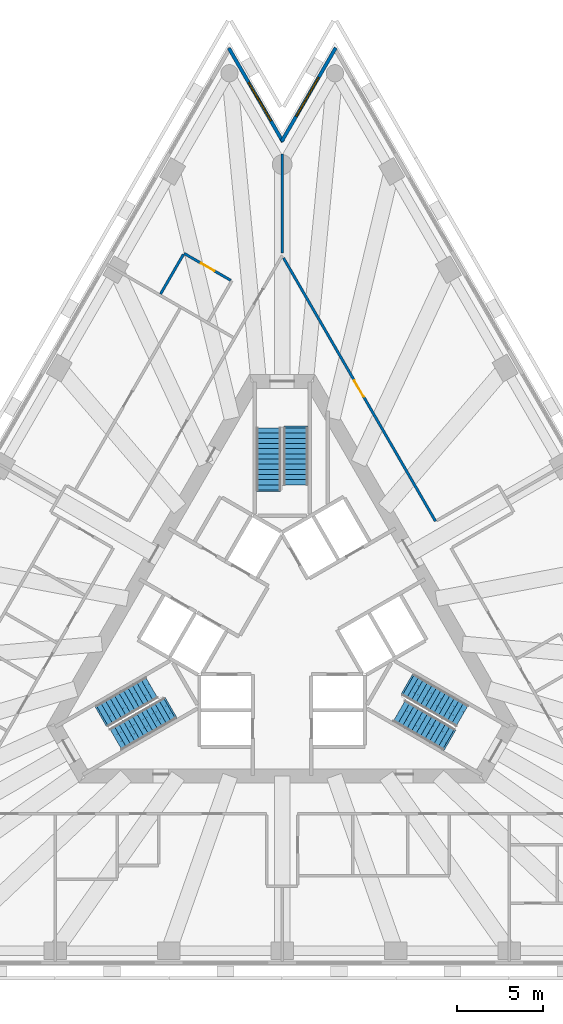
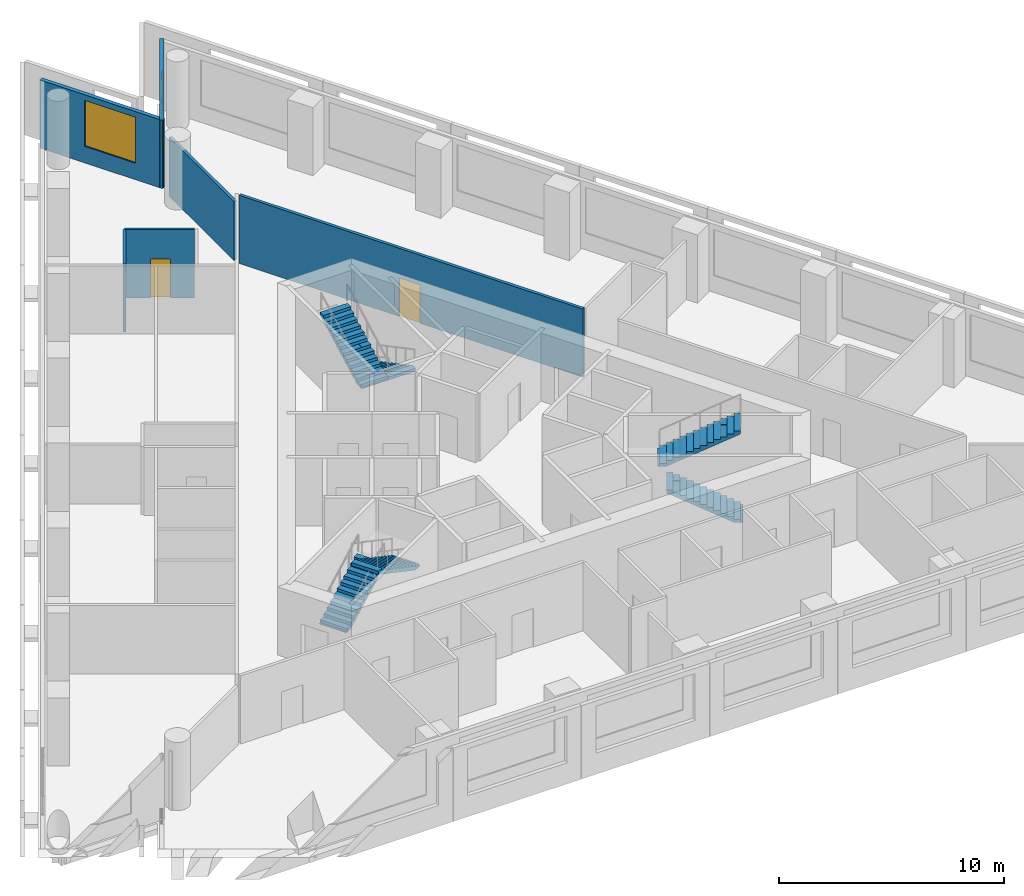
# One storey, part 7 of 10: 6 stair flights, 6 walls, 2 doors, 2 windows, 4 openings, 3 elements without a shape of their own.
"""IFC4 building model written with IfcOpenShell, lengths in metres."""

from ifc_helpers import new_model, si_unit, direction, frame, frame_2d, origin, place, context, subcontext, project, spatial, polyline, rectangle, outline, extrude, material, layer, layer_set, layer_usage, type_object, element, fill, aggregate, save


model = new_model("IFC4")

# Units and contexts
model_context = context("Model", 3, precision=1e-05, world=origin(), true_north=direction((0.0, 1.0)))
body_context = subcontext(model_context, "Body", "Model", "MODEL_VIEW")
ifc_project = project(units=[si_unit("LENGTHUNIT", "METRE"), si_unit("AREAUNIT", "SQUARE_METRE"), si_unit("VOLUMEUNIT", "CUBIC_METRE"), si_unit("PLANEANGLEUNIT", "RADIAN"), si_unit("MASSUNIT", "GRAM", prefix="KILO")], contexts=[model_context])

# Site, building, storey
site_placement = place(None, origin())
site = spatial("IfcSite", under=ifc_project, at=site_placement, CompositionType="ELEMENT")
building_placement = place(site_placement, origin())
building = spatial("IfcBuilding", under=site, at=building_placement, Name="Triada Interchange Tower", CompositionType="ELEMENT")
storey_placement = place(building_placement, frame((0.0, 0.0, 160.300048828125)))
storey = spatial("IfcBuildingStorey", under=building, at=storey_placement, Name="L37", CompositionType="ELEMENT", Elevation=160.300048828125)

# Wall, opening, window
ifc_material_1 = material(Name="Cement board")
ifc_layer_1 = layer(ifc_material_1, 0.02001953125, Name="Cement board cladding")
ifc_material_2 = material(Name="Sheathing board")
ifc_layer_2 = layer(ifc_material_2, 0.014892578125, Name="Sheathing board")
ifc_material_3 = material(Name="Mineral wool")
ifc_layer_3 = layer(ifc_material_3, 0.14990234375, Name="Mineral wool between steel studs")
ifc_material_4 = material(Name="Gypsum board")
ifc_layer_4 = layer(ifc_material_4, 0.014892578125, Name="Plasterboard lining")
ifc_layer_set_1 = layer_set([ifc_layer_1, ifc_layer_2, ifc_layer_3, ifc_layer_4], Name="External wall 200")
ifc_layer_usage = layer_usage(ifc_layer_set_1, "AXIS2", "POSITIVE", -0.10009765625)
wall_type_1 = type_object("IfcWallType", Name="External wall 200", PredefinedType="ELEMENTEDWALL", material=ifc_layer_set_1)
wall_1_placement = place(storey_placement, frame((3.10791015625, 33.666015625, 0.0), z_axis=(0.0, 0.0, 1.0), x_axis=(-0.499961152228, -0.866047831394, 0.0)))
wall_1 = element("IfcWall", 1, at=wall_1_placement, inside=storey, type_object=wall_type_1, material=ifc_layer_usage, Name="External wall L37 N-1", PredefinedType="ELEMENTEDWALL", context=body_context, shape_type="SweptSolid", body=[
    extrude(rectangle(XDim=6.2861328125, YDim=0.199951171875, at=frame_2d((3.14306640625, 0.0))), origin(), (0.0, 0.0, 1.0), 3.699951171875),
])
opening_1_placement = place(wall_1_placement, frame((1.989990234375, 0.0, 0.89990234375)))
opening_1 = element("IfcOpeningElement", 2, at=opening_1_placement, cuts=wall_1, Name="Opening WB29", PredefinedType="OPENING", context=body_context, shape_type="SweptSolid", body=[
    extrude(rectangle(XDim=2.60009765625, YDim=2.5, at=frame_2d((1.300048828125, 1.25))), frame((0.0, 0.10986328125, 0.0), z_axis=(0.0, -1.0, 0.0), x_axis=(1.0, 0.0, 0.0)), (0.0, 0.0, 1.0), 0.219970703125),
])
ifc_material_5 = material(Name="Double glazed aluminium window", Category="aluminium")
window_type = type_object("IfcWindowType", Name="Ribbon window B pocket", PartitioningType="SINGLE_PANEL", PredefinedType="WINDOW", material=ifc_material_5)
window_1_placement = place(opening_1_placement, origin())
window_1 = element("IfcWindow", 3, at=window_1_placement, inside=storey, type_object=window_type, Name="Window L37 N-1 1", OverallHeight=2.5, OverallWidth=2.60009765625, PartitioningType="SINGLE_PANEL", PredefinedType="WINDOW", context=body_context, shape_type="SweptSolid", body=[
    extrude(rectangle(XDim=2.60009765625, YDim=2.5, at=frame_2d((1.300048828125, 1.25))), frame((0.0, 0.030029296875, 0.0), z_axis=(0.0, -1.0, 0.0), x_axis=(1.0, 0.0, 0.0)), (0.0, 0.0, 1.0), 0.06005859375),
])
fill(opening_1, window_1)

wall_2_placement = place(storey_placement, frame((0.044921875, 28.205078125, 0.0), z_axis=(0.0, 0.0, 1.0), x_axis=(-0.499977969162, 0.866038122921, 0.0)))
wall_2 = element("IfcWall", 4, at=wall_2_placement, inside=storey, type_object=wall_type_1, material=ifc_layer_usage, Name="External wall L37 N-2", PredefinedType="ELEMENTEDWALL", context=body_context, shape_type="SweptSolid", body=[
    extrude(rectangle(XDim=6.285888671875, YDim=0.199951171875, at=frame_2d((3.14306640625, 0.0))), origin(), (0.0, 0.0, 1.0), 3.699951171875),
])
opening_2_placement = place(wall_2_placement, frame((1.389892578125, 0.0, 0.89990234375)))
opening_2 = element("IfcOpeningElement", 5, at=opening_2_placement, cuts=wall_2, Name="Opening WB30", PredefinedType="OPENING", context=body_context, shape_type="SweptSolid", body=[
    extrude(rectangle(XDim=2.60009765625, YDim=2.5, at=frame_2d((1.300048828125, 1.25))), frame((0.0, 0.10986328125, 0.0), z_axis=(0.0, -1.0, 0.0), x_axis=(1.0, 0.0, 0.0)), (0.0, 0.0, 1.0), 0.219970703125),
])
window_2_placement = place(opening_2_placement, origin())
window_2 = element("IfcWindow", 6, at=window_2_placement, inside=storey, type_object=window_type, Name="Window L37 N-2 1", OverallHeight=2.5, OverallWidth=2.60009765625, PartitioningType="SINGLE_PANEL", PredefinedType="WINDOW", context=body_context, shape_type="SweptSolid", body=[
    extrude(rectangle(XDim=2.60009765625, YDim=2.5, at=frame_2d((1.300048828125, 1.25))), frame((0.0, 0.030029296875, 0.0), z_axis=(0.0, -1.0, 0.0), x_axis=(1.0, 0.0, 0.0)), (0.0, 0.0, 1.0), 0.06005859375),
])
fill(opening_2, window_2)

# Wall
ifc_material_6 = material(Name="Gypsum board partition")
ifc_layer_5 = layer(ifc_material_6, 0.14990234375)
ifc_layer_set_2 = layer_set([ifc_layer_5], Name="PARTITION 150 EI 180")
wall_type_2 = type_object("IfcWallType", Name="PARTITION 150 EI 180", PredefinedType="PARTITIONING", material=ifc_layer_set_2)
wall_3_placement = place(storey_placement, frame((0.0, 21.75, 0.0), z_axis=(0.0, 0.0, 1.0), x_axis=(0.0, 1.0, 0.0)))
element("IfcWall", 7, at=wall_3_placement, inside=storey, type_object=wall_type_2, Name="Wall L35 26", PredefinedType="PARTITIONING", context=body_context, shape_type="SweptSolid", body=[
    extrude(rectangle(XDim=5.7529296875, YDim=0.14990234375, at=frame_2d((2.87646484375, 0.0))), origin(), (0.0, 0.0, 1.0), 3.199951171875),
])

# Wall, opening, door
wall_4_placement = place(storey_placement, frame((0.075927734375, 21.468017578125, 0.0), z_axis=(0.0, 0.0, 1.0), x_axis=(0.500006592492, -0.866021597574, 0.0)))
wall_4 = element("IfcWall", 8, at=wall_4_placement, inside=storey, type_object=wall_type_2, Name="Wall L35 28", PredefinedType="PARTITIONING", context=body_context, shape_type="SweptSolid", body=[
    extrude(rectangle(XDim=17.652099609375, YDim=0.14990234375, at=frame_2d((8.826171875, 0.0))), origin(), (0.0, 0.0, 1.0), 3.699951171875),
])
opening_3_placement = place(wall_4_placement, frame((8.2041015625, 0.0, 0.0)))
opening_3 = element("IfcOpeningElement", 9, at=opening_3_placement, cuts=wall_4, Name="Opening D35-26", PredefinedType="OPENING", context=body_context, shape_type="SweptSolid", body=[
    extrude(rectangle(XDim=1.10009765625, YDim=2.10009765625, at=frame_2d((0.550048828125, 1.050048828125))), frame((0.0, 0.0849609375, 0.0), z_axis=(0.0, -1.0, 0.0), x_axis=(1.0, 0.0, 0.0)), (0.0, 0.0, 1.0), 0.169921875),
])
ifc_material_7 = material(Name="Steel S235 door leaf", Category="steel")
door_type_1 = type_object("IfcDoorType", Name="TENANCY ENTRANCE DOOR 1100 EI2 90-C5S200", OperationType="NOTDEFINED", PredefinedType="DOOR", material=ifc_material_7)
door_1_placement = place(opening_3_placement, origin())
door_1 = element("IfcDoor", 10, at=door_1_placement, inside=storey, type_object=door_type_1, Name="Door D35-26 L37", OperationType="SINGLE_SWING_LEFT", OverallHeight=2.10009765625, OverallWidth=1.10009765625, PredefinedType="DOOR", context=body_context, shape_type="SweptSolid", body=[
    extrude(rectangle(XDim=1.10009765625, YDim=2.10009765625, at=frame_2d((0.550048828125, 1.050048828125))), frame((0.0, 0.02490234375, 0.0), z_axis=(0.0, -1.0, 0.0), x_axis=(1.0, 0.0, 0.0)), (0.0, 0.0, 1.0), 0.050048828125),
])
fill(opening_3, door_1)

ifc_layer_6 = layer(ifc_material_6, 0.14990234375)
ifc_layer_set_3 = layer_set([ifc_layer_6], Name="PARTITION 150 EI 90")
wall_type_3 = type_object("IfcWallType", Name="PARTITION 150 EI 90", PredefinedType="PARTITIONING", material=ifc_layer_set_3)
wall_5_placement = place(storey_placement, frame((-5.697021484375, 21.73193359375, 0.0), z_axis=(0.0, 0.0, 1.0), x_axis=(0.866071089505, -0.499920861661, 0.0)))
wall_5 = element("IfcWall", 11, at=wall_5_placement, inside=storey, type_object=wall_type_3, Name="Wall L35 45", PredefinedType="PARTITIONING", context=body_context, shape_type="SweptSolid", body=[
    extrude(rectangle(XDim=3.12451171875, YDim=0.14990234375, at=frame_2d((1.562255859375, 0.0))), origin(), (0.0, 0.0, 1.0), 3.699951171875),
])
opening_4_placement = place(wall_5_placement, frame((1.14990234375, 0.0, 0.0)))
opening_4 = element("IfcOpeningElement", 12, at=opening_4_placement, cuts=wall_5, Name="Opening D35-28", PredefinedType="OPENING", context=body_context, shape_type="SweptSolid", body=[
    extrude(rectangle(XDim=0.89990234375, YDim=2.10009765625, at=frame_2d((0.449951171875, 1.050048828125))), frame((0.0, 0.0849609375, 0.0), z_axis=(0.0, -1.0, 0.0), x_axis=(1.0, 0.0, 0.0)), (0.0, 0.0, 1.0), 0.169921875),
])
door_type_2 = type_object("IfcDoorType", Name="ROOM DOOR 900 EI2 45-C5S200", OperationType="NOTDEFINED", PredefinedType="DOOR", material=ifc_material_7)
door_2_placement = place(opening_4_placement, origin())
door_2 = element("IfcDoor", 13, at=door_2_placement, inside=storey, type_object=door_type_2, Name="Door D35-28 L37", OperationType="SINGLE_SWING_LEFT", OverallHeight=2.10009765625, OverallWidth=0.89990234375, PredefinedType="DOOR", context=body_context, shape_type="SweptSolid", body=[
    extrude(rectangle(XDim=0.89990234375, YDim=2.10009765625, at=frame_2d((0.449951171875, 1.050048828125))), frame((0.0, 0.02490234375, 0.0), z_axis=(0.0, -1.0, 0.0), x_axis=(1.0, 0.0, 0.0)), (0.0, 0.0, 1.0), 0.050048828125),
])
fill(opening_4, door_2)

# Wall
wall_6_placement = place(storey_placement, frame((-7.06005859375, 19.373046875, 0.0), z_axis=(0.0, 0.0, 1.0), x_axis=(0.499993606316, 0.866029095148, 0.0)))
element("IfcWall", 14, at=wall_6_placement, inside=storey, type_object=wall_type_3, Name="Wall L35 46", PredefinedType="PARTITIONING", context=body_context, shape_type="SweptSolid", body=[
    extrude(rectangle(XDim=2.64990234375, YDim=0.14990234375, at=frame_2d((1.324951171875, 0.0))), origin(), (0.0, 0.0, 1.0), 3.699951171875),
])

# Stair, stair flights
ifc_material_8 = material(Name="Concrete C35/45", Category="concrete")
stair_type = type_object("IfcStairType", Name="HALF TURN STAIR 1400", PredefinedType="HALF_TURN_STAIR", material=ifc_material_8)
stair_1_placement = place(storey_placement, origin())
stair_1 = element("IfcStair", 15, at=stair_1_placement, inside=storey, type_object=stair_type, Name="Exit stair S35-1", PredefinedType="HALF_TURN_STAIR")
stair_flight_type = type_object("IfcStairFlightType", Name="STRAIGHT STAIR FLIGHT 1400", PredefinedType="STRAIGHT", material=ifc_material_8)
stair_flight_1_placement = place(storey_placement, frame((0.800048828125, 11.60009765625, 0.0), z_axis=(0.0, 0.0, 1.0), x_axis=(0.0, -1.0, 0.0)))
stair_flight_1 = element("IfcStairFlight", 16, at=stair_flight_1_placement, type_object=stair_flight_type, Name="S35-1 flight 1", NumberOfRisers=12, NumberOfTreads=11, PredefinedType="STRAIGHT", RiserHeight=0.16, TreadLength=0.3, context=body_context, shape_type="SweptSolid", body=[
    extrude(outline(polyline([(-0.10009765625, 0.0), (-0.10009765625, 0.02001953125), (0.0, 0.02001953125), (0.0, 0.159912109375), (0.300048828125, 0.159912109375), (0.300048828125, 0.320068359375), (0.60009765625, 0.320068359375), (0.60009765625, 0.47998046875), (0.89990234375, 0.47998046875), (0.89990234375, 0.639892578125), (1.199951171875, 0.639892578125), (1.199951171875, 0.800048828125), (1.5, 0.800048828125), (1.5, 0.9599609375), (1.800048828125, 0.9599609375), (1.800048828125, 1.1201171875), (2.10009765625, 1.1201171875), (2.10009765625, 1.280029296875), (2.39990234375, 1.280029296875), (2.39990234375, 1.43994140625), (2.699951171875, 1.43994140625), (2.699951171875, 1.60009765625), (3.0, 1.60009765625), (3.0, 1.760009765625), (3.300048828125, 1.760009765625), (3.303955078125, 1.760009765625), (3.303955078125, 1.919921875), (3.303955078125, 1.590087890625), (0.318603515625, 0.0), (-0.10009765625, 0.0)])), frame((0.0, 0.699951171875, 0.0), z_axis=(0.0, -1.0, 0.0), x_axis=(1.0, 0.0, 0.0)), (0.0, 0.0, 1.0), 0.46533203125),
    extrude(outline(polyline([(-0.10009765625, 0.0), (-0.10009765625, 0.02001953125), (0.0, 0.02001953125), (0.0, 0.159912109375), (0.300048828125, 0.159912109375), (0.300048828125, 0.320068359375), (0.60009765625, 0.320068359375), (0.60009765625, 0.47998046875), (0.89990234375, 0.47998046875), (0.89990234375, 0.639892578125), (1.199951171875, 0.639892578125), (1.199951171875, 0.800048828125), (1.5, 0.800048828125), (1.5, 0.9599609375), (1.800048828125, 0.9599609375), (1.800048828125, 1.1201171875), (2.10009765625, 1.1201171875), (2.10009765625, 1.280029296875), (2.39990234375, 1.280029296875), (2.39990234375, 1.43994140625), (2.699951171875, 1.43994140625), (2.699951171875, 1.60009765625), (3.0, 1.60009765625), (3.0, 1.760009765625), (3.300048828125, 1.760009765625), (3.303955078125, 1.760009765625), (3.303955078125, 1.919921875), (3.303955078125, 1.590087890625), (0.318603515625, 0.0), (-0.10009765625, 0.0)])), frame((0.0, 0.232666015625, 0.0), z_axis=(0.0, -1.0, 0.0), x_axis=(1.0, 0.0, 0.0)), (0.0, 0.0, 1.0), 0.46533203125),
    extrude(outline(polyline([(-0.10009765625, 0.0), (-0.10009765625, 0.02001953125), (0.0, 0.02001953125), (0.0, 0.159912109375), (0.300048828125, 0.159912109375), (0.300048828125, 0.320068359375), (0.60009765625, 0.320068359375), (0.60009765625, 0.47998046875), (0.89990234375, 0.47998046875), (0.89990234375, 0.639892578125), (1.199951171875, 0.639892578125), (1.199951171875, 0.800048828125), (1.5, 0.800048828125), (1.5, 0.9599609375), (1.800048828125, 0.9599609375), (1.800048828125, 1.1201171875), (2.10009765625, 1.1201171875), (2.10009765625, 1.280029296875), (2.39990234375, 1.280029296875), (2.39990234375, 1.43994140625), (2.699951171875, 1.43994140625), (2.699951171875, 1.60009765625), (3.0, 1.60009765625), (3.0, 1.760009765625), (3.300048828125, 1.760009765625), (3.303955078125, 1.760009765625), (3.303955078125, 1.919921875), (3.303955078125, 1.590087890625), (0.318603515625, 0.0), (-0.10009765625, 0.0)])), frame((0.0, -0.234619140625, 0.0), z_axis=(0.0, -1.0, 0.0), x_axis=(1.0, 0.0, 0.0)), (0.0, 0.0, 1.0), 0.46533203125),
])
stair_flight_2_placement = place(storey_placement, frame((-0.800048828125, 8.0, 1.919921875), z_axis=(0.0, 0.0, 1.0), x_axis=(0.0, 1.0, 0.0)))
stair_flight_2 = element("IfcStairFlight", 17, at=stair_flight_2_placement, type_object=stair_flight_type, Name="S35-1 flight 2", NumberOfRisers=13, NumberOfTreads=12, PredefinedType="STRAIGHT", RiserHeight=0.16, TreadLength=0.3, context=body_context, shape_type="SweptSolid", body=[
    extrude(outline(polyline([(-0.10009765625, 0.0), (-0.10009765625, 0.02001953125), (0.0, 0.02001953125), (0.0, 0.159912109375), (0.300048828125, 0.159912109375), (0.300048828125, 0.320068359375), (0.60009765625, 0.320068359375), (0.60009765625, 0.47998046875), (0.89990234375, 0.47998046875), (0.89990234375, 0.639892578125), (1.199951171875, 0.639892578125), (1.199951171875, 0.800048828125), (1.5, 0.800048828125), (1.5, 0.9599609375), (1.800048828125, 0.9599609375), (1.800048828125, 1.1201171875), (2.10009765625, 1.1201171875), (2.10009765625, 1.280029296875), (2.39990234375, 1.280029296875), (2.39990234375, 1.43994140625), (2.699951171875, 1.43994140625), (2.699951171875, 1.60009765625), (3.0, 1.60009765625), (3.0, 1.760009765625), (3.300048828125, 1.760009765625), (3.300048828125, 1.919921875), (3.60009765625, 1.919921875), (3.60400390625, 1.919921875), (3.60400390625, 2.080078125), (3.60400390625, 1.75), (0.318603515625, 0.0), (-0.10009765625, 0.0)])), frame((0.0, 0.699951171875, 0.0), z_axis=(0.0, -1.0, 0.0), x_axis=(1.0, 0.0, 0.0)), (0.0, 0.0, 1.0), 0.46533203125),
    extrude(outline(polyline([(-0.10009765625, 0.0), (-0.10009765625, 0.02001953125), (0.0, 0.02001953125), (0.0, 0.159912109375), (0.300048828125, 0.159912109375), (0.300048828125, 0.320068359375), (0.60009765625, 0.320068359375), (0.60009765625, 0.47998046875), (0.89990234375, 0.47998046875), (0.89990234375, 0.639892578125), (1.199951171875, 0.639892578125), (1.199951171875, 0.800048828125), (1.5, 0.800048828125), (1.5, 0.9599609375), (1.800048828125, 0.9599609375), (1.800048828125, 1.1201171875), (2.10009765625, 1.1201171875), (2.10009765625, 1.280029296875), (2.39990234375, 1.280029296875), (2.39990234375, 1.43994140625), (2.699951171875, 1.43994140625), (2.699951171875, 1.60009765625), (3.0, 1.60009765625), (3.0, 1.760009765625), (3.300048828125, 1.760009765625), (3.300048828125, 1.919921875), (3.60009765625, 1.919921875), (3.60400390625, 1.919921875), (3.60400390625, 2.080078125), (3.60400390625, 1.75), (0.318603515625, 0.0), (-0.10009765625, 0.0)])), frame((0.0, 0.232666015625, 0.0), z_axis=(0.0, -1.0, 0.0), x_axis=(1.0, 0.0, 0.0)), (0.0, 0.0, 1.0), 0.46533203125),
    extrude(outline(polyline([(-0.10009765625, 0.0), (-0.10009765625, 0.02001953125), (0.0, 0.02001953125), (0.0, 0.159912109375), (0.300048828125, 0.159912109375), (0.300048828125, 0.320068359375), (0.60009765625, 0.320068359375), (0.60009765625, 0.47998046875), (0.89990234375, 0.47998046875), (0.89990234375, 0.639892578125), (1.199951171875, 0.639892578125), (1.199951171875, 0.800048828125), (1.5, 0.800048828125), (1.5, 0.9599609375), (1.800048828125, 0.9599609375), (1.800048828125, 1.1201171875), (2.10009765625, 1.1201171875), (2.10009765625, 1.280029296875), (2.39990234375, 1.280029296875), (2.39990234375, 1.43994140625), (2.699951171875, 1.43994140625), (2.699951171875, 1.60009765625), (3.0, 1.60009765625), (3.0, 1.760009765625), (3.300048828125, 1.760009765625), (3.300048828125, 1.919921875), (3.60009765625, 1.919921875), (3.60400390625, 1.919921875), (3.60400390625, 2.080078125), (3.60400390625, 1.75), (0.318603515625, 0.0), (-0.10009765625, 0.0)])), frame((0.0, -0.234619140625, 0.0), z_axis=(0.0, -1.0, 0.0), x_axis=(1.0, 0.0, 0.0)), (0.0, 0.0, 1.0), 0.46533203125),
])
aggregate(stair_1, [stair_flight_1, stair_flight_2])

stair_2_placement = place(storey_placement, origin())
stair_2 = element("IfcStair", 18, at=stair_2_placement, inside=storey, type_object=stair_type, Name="Exit stair S35-2", PredefinedType="HALF_TURN_STAIR")
stair_flight_3_placement = place(storey_placement, frame((-10.446044921875, -5.10693359375, 0.0), z_axis=(0.0, 0.0, 1.0), x_axis=(0.866025403784, 0.5, 0.0)))
stair_flight_3 = element("IfcStairFlight", 19, at=stair_flight_3_placement, type_object=stair_flight_type, Name="S35-2 flight 1", NumberOfRisers=12, NumberOfTreads=11, PredefinedType="STRAIGHT", RiserHeight=0.16, TreadLength=0.3, context=body_context, shape_type="SweptSolid", body=[
    extrude(outline(polyline([(-0.10009765625, 0.0), (-0.10009765625, 0.02001953125), (0.0, 0.02001953125), (0.0, 0.159912109375), (0.300048828125, 0.159912109375), (0.300048828125, 0.320068359375), (0.60009765625, 0.320068359375), (0.60009765625, 0.47998046875), (0.89990234375, 0.47998046875), (0.89990234375, 0.639892578125), (1.199951171875, 0.639892578125), (1.199951171875, 0.800048828125), (1.5, 0.800048828125), (1.5, 0.9599609375), (1.800048828125, 0.9599609375), (1.800048828125, 1.1201171875), (2.10009765625, 1.1201171875), (2.10009765625, 1.280029296875), (2.39990234375, 1.280029296875), (2.39990234375, 1.43994140625), (2.699951171875, 1.43994140625), (2.699951171875, 1.60009765625), (3.0, 1.60009765625), (3.0, 1.760009765625), (3.300048828125, 1.760009765625), (3.303955078125, 1.760009765625), (3.303955078125, 1.919921875), (3.303955078125, 1.590087890625), (0.318603515625, 0.0), (-0.10009765625, 0.0)])), frame((0.0, 0.699951171875, 0.0), z_axis=(0.0, -1.0, 0.0), x_axis=(1.0, 0.0, 0.0)), (0.0, 0.0, 1.0), 0.46533203125),
    extrude(outline(polyline([(-0.10009765625, 0.0), (-0.10009765625, 0.02001953125), (0.0, 0.02001953125), (0.0, 0.159912109375), (0.300048828125, 0.159912109375), (0.300048828125, 0.320068359375), (0.60009765625, 0.320068359375), (0.60009765625, 0.47998046875), (0.89990234375, 0.47998046875), (0.89990234375, 0.639892578125), (1.199951171875, 0.639892578125), (1.199951171875, 0.800048828125), (1.5, 0.800048828125), (1.5, 0.9599609375), (1.800048828125, 0.9599609375), (1.800048828125, 1.1201171875), (2.10009765625, 1.1201171875), (2.10009765625, 1.280029296875), (2.39990234375, 1.280029296875), (2.39990234375, 1.43994140625), (2.699951171875, 1.43994140625), (2.699951171875, 1.60009765625), (3.0, 1.60009765625), (3.0, 1.760009765625), (3.300048828125, 1.760009765625), (3.303955078125, 1.760009765625), (3.303955078125, 1.919921875), (3.303955078125, 1.590087890625), (0.318603515625, 0.0), (-0.10009765625, 0.0)])), frame((0.0, 0.232666015625, 0.0), z_axis=(0.0, -1.0, 0.0), x_axis=(1.0, 0.0, 0.0)), (0.0, 0.0, 1.0), 0.46533203125),
    extrude(outline(polyline([(-0.10009765625, 0.0), (-0.10009765625, 0.02001953125), (0.0, 0.02001953125), (0.0, 0.159912109375), (0.300048828125, 0.159912109375), (0.300048828125, 0.320068359375), (0.60009765625, 0.320068359375), (0.60009765625, 0.47998046875), (0.89990234375, 0.47998046875), (0.89990234375, 0.639892578125), (1.199951171875, 0.639892578125), (1.199951171875, 0.800048828125), (1.5, 0.800048828125), (1.5, 0.9599609375), (1.800048828125, 0.9599609375), (1.800048828125, 1.1201171875), (2.10009765625, 1.1201171875), (2.10009765625, 1.280029296875), (2.39990234375, 1.280029296875), (2.39990234375, 1.43994140625), (2.699951171875, 1.43994140625), (2.699951171875, 1.60009765625), (3.0, 1.60009765625), (3.0, 1.760009765625), (3.300048828125, 1.760009765625), (3.303955078125, 1.760009765625), (3.303955078125, 1.919921875), (3.303955078125, 1.590087890625), (0.318603515625, 0.0), (-0.10009765625, 0.0)])), frame((0.0, -0.234619140625, 0.0), z_axis=(0.0, -1.0, 0.0), x_axis=(1.0, 0.0, 0.0)), (0.0, 0.0, 1.0), 0.46533203125),
])
stair_flight_4_placement = place(storey_placement, frame((-6.528076171875, -4.693115234375, 1.919921875), z_axis=(0.0, 0.0, 1.0), x_axis=(-0.866025403784, -0.5, 0.0)))
stair_flight_4 = element("IfcStairFlight", 20, at=stair_flight_4_placement, type_object=stair_flight_type, Name="S35-2 flight 2", NumberOfRisers=13, NumberOfTreads=12, PredefinedType="STRAIGHT", RiserHeight=0.16, TreadLength=0.3, context=body_context, shape_type="SweptSolid", body=[
    extrude(outline(polyline([(-0.10009765625, 0.0), (-0.10009765625, 0.02001953125), (0.0, 0.02001953125), (0.0, 0.159912109375), (0.300048828125, 0.159912109375), (0.300048828125, 0.320068359375), (0.60009765625, 0.320068359375), (0.60009765625, 0.47998046875), (0.89990234375, 0.47998046875), (0.89990234375, 0.639892578125), (1.199951171875, 0.639892578125), (1.199951171875, 0.800048828125), (1.5, 0.800048828125), (1.5, 0.9599609375), (1.800048828125, 0.9599609375), (1.800048828125, 1.1201171875), (2.10009765625, 1.1201171875), (2.10009765625, 1.280029296875), (2.39990234375, 1.280029296875), (2.39990234375, 1.43994140625), (2.699951171875, 1.43994140625), (2.699951171875, 1.60009765625), (3.0, 1.60009765625), (3.0, 1.760009765625), (3.300048828125, 1.760009765625), (3.300048828125, 1.919921875), (3.60009765625, 1.919921875), (3.60400390625, 1.919921875), (3.60400390625, 2.080078125), (3.60400390625, 1.75), (0.318603515625, 0.0), (-0.10009765625, 0.0)])), frame((0.0, 0.699951171875, 0.0), z_axis=(0.0, -1.0, 0.0), x_axis=(1.0, 0.0, 0.0)), (0.0, 0.0, 1.0), 0.46533203125),
    extrude(outline(polyline([(-0.10009765625, 0.0), (-0.10009765625, 0.02001953125), (0.0, 0.02001953125), (0.0, 0.159912109375), (0.300048828125, 0.159912109375), (0.300048828125, 0.320068359375), (0.60009765625, 0.320068359375), (0.60009765625, 0.47998046875), (0.89990234375, 0.47998046875), (0.89990234375, 0.639892578125), (1.199951171875, 0.639892578125), (1.199951171875, 0.800048828125), (1.5, 0.800048828125), (1.5, 0.9599609375), (1.800048828125, 0.9599609375), (1.800048828125, 1.1201171875), (2.10009765625, 1.1201171875), (2.10009765625, 1.280029296875), (2.39990234375, 1.280029296875), (2.39990234375, 1.43994140625), (2.699951171875, 1.43994140625), (2.699951171875, 1.60009765625), (3.0, 1.60009765625), (3.0, 1.760009765625), (3.300048828125, 1.760009765625), (3.300048828125, 1.919921875), (3.60009765625, 1.919921875), (3.60400390625, 1.919921875), (3.60400390625, 2.080078125), (3.60400390625, 1.75), (0.318603515625, 0.0), (-0.10009765625, 0.0)])), frame((0.0, 0.232666015625, 0.0), z_axis=(0.0, -1.0, 0.0), x_axis=(1.0, 0.0, 0.0)), (0.0, 0.0, 1.0), 0.46533203125),
    extrude(outline(polyline([(-0.10009765625, 0.0), (-0.10009765625, 0.02001953125), (0.0, 0.02001953125), (0.0, 0.159912109375), (0.300048828125, 0.159912109375), (0.300048828125, 0.320068359375), (0.60009765625, 0.320068359375), (0.60009765625, 0.47998046875), (0.89990234375, 0.47998046875), (0.89990234375, 0.639892578125), (1.199951171875, 0.639892578125), (1.199951171875, 0.800048828125), (1.5, 0.800048828125), (1.5, 0.9599609375), (1.800048828125, 0.9599609375), (1.800048828125, 1.1201171875), (2.10009765625, 1.1201171875), (2.10009765625, 1.280029296875), (2.39990234375, 1.280029296875), (2.39990234375, 1.43994140625), (2.699951171875, 1.43994140625), (2.699951171875, 1.60009765625), (3.0, 1.60009765625), (3.0, 1.760009765625), (3.300048828125, 1.760009765625), (3.300048828125, 1.919921875), (3.60009765625, 1.919921875), (3.60400390625, 1.919921875), (3.60400390625, 2.080078125), (3.60400390625, 1.75), (0.318603515625, 0.0), (-0.10009765625, 0.0)])), frame((0.0, -0.234619140625, 0.0), z_axis=(0.0, -1.0, 0.0), x_axis=(1.0, 0.0, 0.0)), (0.0, 0.0, 1.0), 0.46533203125),
])
aggregate(stair_2, [stair_flight_3, stair_flight_4])

stair_3_placement = place(storey_placement, origin())
stair_3 = element("IfcStair", 21, at=stair_3_placement, inside=storey, type_object=stair_type, Name="Exit stair S35-3", PredefinedType="HALF_TURN_STAIR")
stair_flight_5_placement = place(storey_placement, frame((9.64599609375, -6.492919921875, 0.0), z_axis=(0.0, 0.0, 1.0), x_axis=(-0.866025403784, 0.5, 0.0)))
stair_flight_5 = element("IfcStairFlight", 22, at=stair_flight_5_placement, type_object=stair_flight_type, Name="S35-3 flight 1", NumberOfRisers=12, NumberOfTreads=11, PredefinedType="STRAIGHT", RiserHeight=0.16, TreadLength=0.3, context=body_context, shape_type="SweptSolid", body=[
    extrude(outline(polyline([(-0.10009765625, 0.0), (-0.10009765625, 0.02001953125), (0.0, 0.02001953125), (0.0, 0.159912109375), (0.300048828125, 0.159912109375), (0.300048828125, 0.320068359375), (0.60009765625, 0.320068359375), (0.60009765625, 0.47998046875), (0.89990234375, 0.47998046875), (0.89990234375, 0.639892578125), (1.199951171875, 0.639892578125), (1.199951171875, 0.800048828125), (1.5, 0.800048828125), (1.5, 0.9599609375), (1.800048828125, 0.9599609375), (1.800048828125, 1.1201171875), (2.10009765625, 1.1201171875), (2.10009765625, 1.280029296875), (2.39990234375, 1.280029296875), (2.39990234375, 1.43994140625), (2.699951171875, 1.43994140625), (2.699951171875, 1.60009765625), (3.0, 1.60009765625), (3.0, 1.760009765625), (3.300048828125, 1.760009765625), (3.303955078125, 1.760009765625), (3.303955078125, 1.919921875), (3.303955078125, 1.590087890625), (0.318603515625, 0.0), (-0.10009765625, 0.0)])), frame((0.0, 0.699951171875, 0.0), z_axis=(0.0, -1.0, 0.0), x_axis=(1.0, 0.0, 0.0)), (0.0, 0.0, 1.0), 0.46533203125),
    extrude(outline(polyline([(-0.10009765625, 0.0), (-0.10009765625, 0.02001953125), (0.0, 0.02001953125), (0.0, 0.159912109375), (0.300048828125, 0.159912109375), (0.300048828125, 0.320068359375), (0.60009765625, 0.320068359375), (0.60009765625, 0.47998046875), (0.89990234375, 0.47998046875), (0.89990234375, 0.639892578125), (1.199951171875, 0.639892578125), (1.199951171875, 0.800048828125), (1.5, 0.800048828125), (1.5, 0.9599609375), (1.800048828125, 0.9599609375), (1.800048828125, 1.1201171875), (2.10009765625, 1.1201171875), (2.10009765625, 1.280029296875), (2.39990234375, 1.280029296875), (2.39990234375, 1.43994140625), (2.699951171875, 1.43994140625), (2.699951171875, 1.60009765625), (3.0, 1.60009765625), (3.0, 1.760009765625), (3.300048828125, 1.760009765625), (3.303955078125, 1.760009765625), (3.303955078125, 1.919921875), (3.303955078125, 1.590087890625), (0.318603515625, 0.0), (-0.10009765625, 0.0)])), frame((0.0, 0.232666015625, 0.0), z_axis=(0.0, -1.0, 0.0), x_axis=(1.0, 0.0, 0.0)), (0.0, 0.0, 1.0), 0.46533203125),
    extrude(outline(polyline([(-0.10009765625, 0.0), (-0.10009765625, 0.02001953125), (0.0, 0.02001953125), (0.0, 0.159912109375), (0.300048828125, 0.159912109375), (0.300048828125, 0.320068359375), (0.60009765625, 0.320068359375), (0.60009765625, 0.47998046875), (0.89990234375, 0.47998046875), (0.89990234375, 0.639892578125), (1.199951171875, 0.639892578125), (1.199951171875, 0.800048828125), (1.5, 0.800048828125), (1.5, 0.9599609375), (1.800048828125, 0.9599609375), (1.800048828125, 1.1201171875), (2.10009765625, 1.1201171875), (2.10009765625, 1.280029296875), (2.39990234375, 1.280029296875), (2.39990234375, 1.43994140625), (2.699951171875, 1.43994140625), (2.699951171875, 1.60009765625), (3.0, 1.60009765625), (3.0, 1.760009765625), (3.300048828125, 1.760009765625), (3.303955078125, 1.760009765625), (3.303955078125, 1.919921875), (3.303955078125, 1.590087890625), (0.318603515625, 0.0), (-0.10009765625, 0.0)])), frame((0.0, -0.234619140625, 0.0), z_axis=(0.0, -1.0, 0.0), x_axis=(1.0, 0.0, 0.0)), (0.0, 0.0, 1.0), 0.46533203125),
])
stair_flight_6_placement = place(storey_placement, frame((7.327880859375, -3.306884765625, 1.919921875), z_axis=(0.0, 0.0, 1.0), x_axis=(0.866025403784, -0.5, 0.0)))
stair_flight_6 = element("IfcStairFlight", 23, at=stair_flight_6_placement, type_object=stair_flight_type, Name="S35-3 flight 2", NumberOfRisers=13, NumberOfTreads=12, PredefinedType="STRAIGHT", RiserHeight=0.16, TreadLength=0.3, context=body_context, shape_type="SweptSolid", body=[
    extrude(outline(polyline([(-0.10009765625, 0.0), (-0.10009765625, 0.02001953125), (0.0, 0.02001953125), (0.0, 0.159912109375), (0.300048828125, 0.159912109375), (0.300048828125, 0.320068359375), (0.60009765625, 0.320068359375), (0.60009765625, 0.47998046875), (0.89990234375, 0.47998046875), (0.89990234375, 0.639892578125), (1.199951171875, 0.639892578125), (1.199951171875, 0.800048828125), (1.5, 0.800048828125), (1.5, 0.9599609375), (1.800048828125, 0.9599609375), (1.800048828125, 1.1201171875), (2.10009765625, 1.1201171875), (2.10009765625, 1.280029296875), (2.39990234375, 1.280029296875), (2.39990234375, 1.43994140625), (2.699951171875, 1.43994140625), (2.699951171875, 1.60009765625), (3.0, 1.60009765625), (3.0, 1.760009765625), (3.300048828125, 1.760009765625), (3.300048828125, 1.919921875), (3.60009765625, 1.919921875), (3.60400390625, 1.919921875), (3.60400390625, 2.080078125), (3.60400390625, 1.75), (0.318603515625, 0.0), (-0.10009765625, 0.0)])), frame((0.0, 0.699951171875, 0.0), z_axis=(0.0, -1.0, 0.0), x_axis=(1.0, 0.0, 0.0)), (0.0, 0.0, 1.0), 0.46533203125),
    extrude(outline(polyline([(-0.10009765625, 0.0), (-0.10009765625, 0.02001953125), (0.0, 0.02001953125), (0.0, 0.159912109375), (0.300048828125, 0.159912109375), (0.300048828125, 0.320068359375), (0.60009765625, 0.320068359375), (0.60009765625, 0.47998046875), (0.89990234375, 0.47998046875), (0.89990234375, 0.639892578125), (1.199951171875, 0.639892578125), (1.199951171875, 0.800048828125), (1.5, 0.800048828125), (1.5, 0.9599609375), (1.800048828125, 0.9599609375), (1.800048828125, 1.1201171875), (2.10009765625, 1.1201171875), (2.10009765625, 1.280029296875), (2.39990234375, 1.280029296875), (2.39990234375, 1.43994140625), (2.699951171875, 1.43994140625), (2.699951171875, 1.60009765625), (3.0, 1.60009765625), (3.0, 1.760009765625), (3.300048828125, 1.760009765625), (3.300048828125, 1.919921875), (3.60009765625, 1.919921875), (3.60400390625, 1.919921875), (3.60400390625, 2.080078125), (3.60400390625, 1.75), (0.318603515625, 0.0), (-0.10009765625, 0.0)])), frame((0.0, 0.232666015625, 0.0), z_axis=(0.0, -1.0, 0.0), x_axis=(1.0, 0.0, 0.0)), (0.0, 0.0, 1.0), 0.46533203125),
    extrude(outline(polyline([(-0.10009765625, 0.0), (-0.10009765625, 0.02001953125), (0.0, 0.02001953125), (0.0, 0.159912109375), (0.300048828125, 0.159912109375), (0.300048828125, 0.320068359375), (0.60009765625, 0.320068359375), (0.60009765625, 0.47998046875), (0.89990234375, 0.47998046875), (0.89990234375, 0.639892578125), (1.199951171875, 0.639892578125), (1.199951171875, 0.800048828125), (1.5, 0.800048828125), (1.5, 0.9599609375), (1.800048828125, 0.9599609375), (1.800048828125, 1.1201171875), (2.10009765625, 1.1201171875), (2.10009765625, 1.280029296875), (2.39990234375, 1.280029296875), (2.39990234375, 1.43994140625), (2.699951171875, 1.43994140625), (2.699951171875, 1.60009765625), (3.0, 1.60009765625), (3.0, 1.760009765625), (3.300048828125, 1.760009765625), (3.300048828125, 1.919921875), (3.60009765625, 1.919921875), (3.60400390625, 1.919921875), (3.60400390625, 2.080078125), (3.60400390625, 1.75), (0.318603515625, 0.0), (-0.10009765625, 0.0)])), frame((0.0, -0.234619140625, 0.0), z_axis=(0.0, -1.0, 0.0), x_axis=(1.0, 0.0, 0.0)), (0.0, 0.0, 1.0), 0.46533203125),
])
aggregate(stair_3, [stair_flight_5, stair_flight_6])

save(model, "model.ifc")
